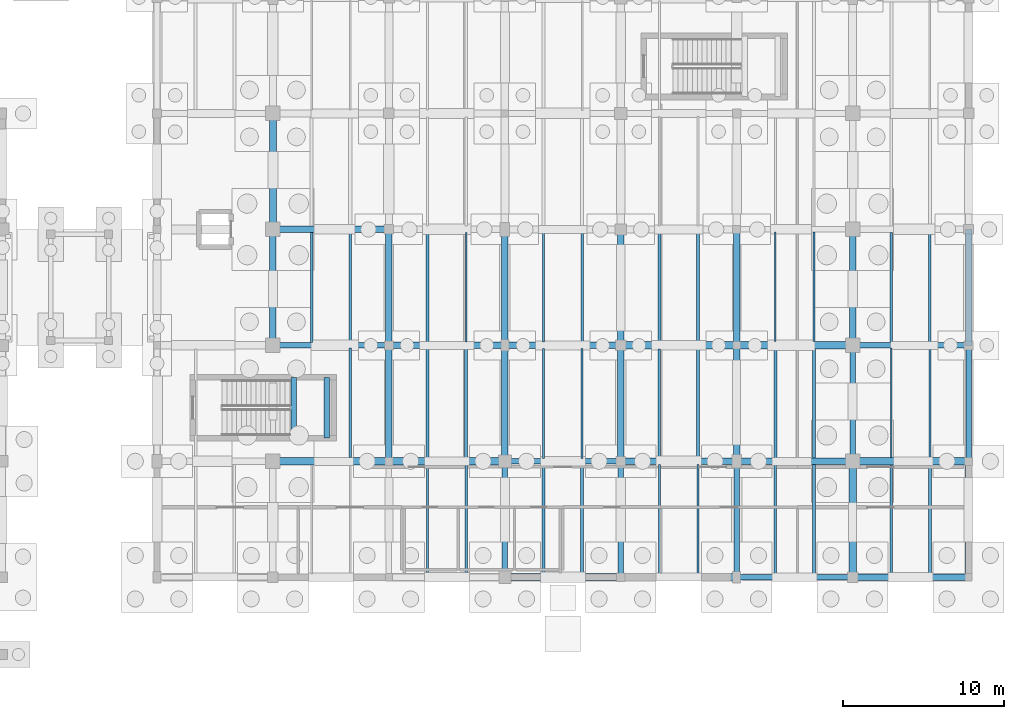
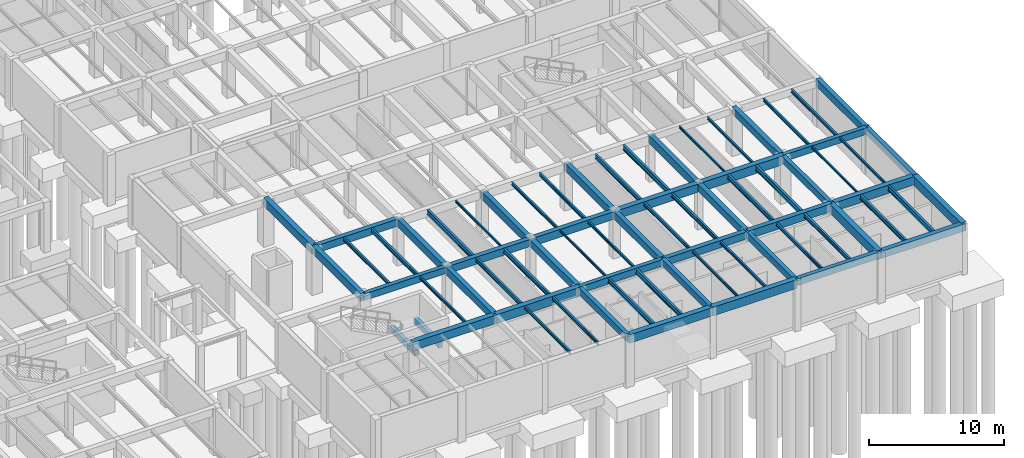
# One storey, part 34 of 63: 71 beams.
"""IFC4 building model written with IfcOpenShell, lengths in metres."""

from ifc_helpers import new_model, si_unit, direction, frame, origin, origin_2d, place, context, subcontext, project, spatial, rectangle, i_section, extrude, material, material_profile, profile_set, type_object, element, save


model = new_model("IFC4")

# Units and contexts
model_context = context("Model", 3, precision=1e-05, world=origin(), true_north=direction((0.0, 1.0)))
body_context = subcontext(model_context, "Body", "Model", "MODEL_VIEW")
ifc_project = project(units=[si_unit("LENGTHUNIT", "METRE"), si_unit("AREAUNIT", "SQUARE_METRE"), si_unit("VOLUMEUNIT", "CUBIC_METRE"), si_unit("PLANEANGLEUNIT", "RADIAN"), si_unit("MASSUNIT", "GRAM", prefix="KILO")], contexts=[model_context])

# Site, building, storey
site_placement = place(None, origin())
site = spatial("IfcSite", under=ifc_project, at=site_placement, CompositionType="ELEMENT")
building_placement = place(site_placement, origin())
building = spatial("IfcBuilding", under=site, at=building_placement, Name="Mazaris Harbour Polytechnic", CompositionType="ELEMENT")
storey_placement = place(building_placement, frame((0.0, 0.0, -4.5)))
storey = spatial("IfcBuildingStorey", under=building, at=storey_placement, Name="B1", CompositionType="ELEMENT", Elevation=-4.5)

# Beams
ifc_material_1 = material(Name="Concrete C35/45", Category="concrete")
ifc_material_profile_1 = material_profile(ifc_material_1, rectangle(XDim=0.35009765625, YDim=0.60009765625, at=origin_2d()), Name="RECT350x600")
ifc_profile_set_1 = profile_set([ifc_material_profile_1], Name="Concrete C35/45")
beam_type_1 = type_object("IfcBeamType", Name="RC Girder 350x600", PredefinedType="BEAM", material=ifc_profile_set_1)
for number, where, z_axis, x_axis, name in (
    (1, (144.0, 14.39990234375, 3.8798828125), (1.0, 0.0, 0.0), (0.0, 1.0, 0.0), "V2 B1 Girder 290"),
    (2, (129.60009765625, 21.60009765625, 3.8798828125), (1.0, 0.0, 0.0), (0.0, 1.0, 0.0), "V2 B1 Girder 295"),
    (3, (165.60009765625, 21.60009765625, 3.8798828125), (1.0, 0.0, 0.0), (0.0, 1.0, 0.0), "V2 B1 Girder 300"),
    (4, (144.0, 7.199951171875, 3.8798828125), (0.0, 1.0, 0.0), (-1.0, 0.0, 0.0), "V2 B1 Tie Girder 335"),
    (5, (151.199951171875, 7.199951171875, 3.8798828125), (0.0, 1.0, 0.0), (-1.0, 0.0, 0.0), "V2 B1 Tie Girder 340"),
    (6, (158.39990234375, 7.199951171875, 3.8798828125), (0.0, 1.0, 0.0), (-1.0, 0.0, 0.0), "V2 B1 Tie Girder 345"),
):
    element("IfcBeam", number, at=place(storey_placement, frame(where, z_axis=z_axis, x_axis=x_axis)), inside=storey, type_object=beam_type_1, Name=name, PredefinedType="BEAM", context=body_context, shape_type="SweptSolid", body=[
        extrude(rectangle(XDim=0.35009765625, YDim=0.60009765625, at=origin_2d()), origin(), (0.0, 0.0, 1.0), 7.199951171875),
    ])
beam_1_placement = place(storey_placement, frame((165.60009765625, 14.39990234375, 3.8798828125), z_axis=(0.0, 1.0, 0.0), x_axis=(-1.0, 0.0, 0.0)))
element("IfcBeam", 7, at=beam_1_placement, inside=storey, type_object=beam_type_1, Name="V2 B1 Tie Girder 350", PredefinedType="BEAM", context=body_context, shape_type="SweptSolid", body=[
    extrude(rectangle(XDim=0.35009765625, YDim=0.60009765625, at=origin_2d()), origin(), (0.0, 0.0, 1.0), 7.2001953125),
])
ifc_material_2 = material(Name="Concrete C35/45", Category="concrete")
ifc_material_profile_2 = material_profile(ifc_material_2, rectangle(XDim=0.35009765625, YDim=0.60009765625, at=origin_2d()), Name="RECT350x600")
ifc_profile_set_2 = profile_set([ifc_material_profile_2], Name="Concrete C35/45")
beam_type_2 = type_object("IfcBeamType", Name="RC Girder 350x600 Exterior", PredefinedType="BEAM", material=ifc_profile_set_2)
for number, where, z_axis, x_axis, name in (
    (8, (158.39990234375, 7.199951171875, 3.8798828125), (1.0, 0.0, 0.0), (0.0, 1.0, 0.0), "V2 B1 Girder 285"),
    (9, (172.800048828125, 14.39990234375, 3.8798828125), (0.0, 1.0, 0.0), (-1.0, 0.0, 0.0), "V2 B1 Tie Girder 355"),
):
    element("IfcBeam", number, at=place(storey_placement, frame(where, z_axis=z_axis, x_axis=x_axis)), inside=storey, type_object=beam_type_2, Name=name, PredefinedType="BEAM", context=body_context, shape_type="SweptSolid", body=[
        extrude(rectangle(XDim=0.35009765625, YDim=0.60009765625, at=origin_2d()), origin(), (0.0, 0.0, 1.0), 7.2001953125),
    ])
ifc_material_3 = material(Name="Concrete C35/45", Category="concrete")
ifc_material_profile_3 = material_profile(ifc_material_3, rectangle(XDim=0.39990234375, YDim=0.64990234375, at=origin_2d()), Name="RECT400x650")
ifc_profile_set_3 = profile_set([ifc_material_profile_3], Name="Concrete C35/45")
beam_type_3 = type_object("IfcBeamType", Name="RC Girder 400x650", PredefinedType="BEAM", material=ifc_profile_set_3)
for number, where, z_axis, x_axis, name in (
    (10, (151.199951171875, 14.39990234375, 3.85498046875), (1.0, 0.0, 0.0), (0.0, 1.0, 0.0), "V2 B1 Girder 291"),
    (11, (136.800048828125, 21.60009765625, 3.85498046875), (1.0, 0.0, 0.0), (0.0, 1.0, 0.0), "V2 B1 Girder 296"),
    (12, (129.60009765625, 28.800048828125, 3.85498046875), (1.0, 0.0, 0.0), (0.0, 1.0, 0.0), "V2 B1 Girder 301"),
):
    element("IfcBeam", number, at=place(storey_placement, frame(where, z_axis=z_axis, x_axis=x_axis)), inside=storey, type_object=beam_type_3, Name=name, PredefinedType="BEAM", context=body_context, shape_type="SweptSolid", body=[
        extrude(rectangle(XDim=0.39990234375, YDim=0.64990234375, at=origin_2d()), origin(), (0.0, 0.0, 1.0), 7.199951171875),
    ])
for number, where, z_axis, x_axis, name in (
    (13, (136.800048828125, 14.39990234375, 3.85498046875), (0.0, 1.0, 0.0), (-1.0, 0.0, 0.0), "V2 B1 Tie Girder 331"),
    (14, (144.0, 14.39990234375, 3.85498046875), (0.0, 1.0, 0.0), (-1.0, 0.0, 0.0), "V2 B1 Tie Girder 336"),
    (15, (151.199951171875, 14.39990234375, 3.85498046875), (0.0, 1.0, 0.0), (-1.0, 0.0, 0.0), "V2 B1 Tie Girder 341"),
    (16, (158.39990234375, 14.39990234375, 3.85498046875), (0.0, 1.0, 0.0), (-1.0, 0.0, 0.0), "V2 B1 Tie Girder 346"),
):
    element("IfcBeam", number, at=place(storey_placement, frame(where, z_axis=z_axis, x_axis=x_axis)), inside=storey, type_object=beam_type_3, Name=name, PredefinedType="BEAM", context=body_context, shape_type="SweptSolid", body=[
        extrude(rectangle(XDim=0.39990234375, YDim=0.64990234375, at=origin_2d()), origin(), (0.0, 0.0, 1.0), 7.2001953125),
    ])
beam_2_placement = place(storey_placement, frame((165.60009765625, 21.60009765625, 3.85498046875), z_axis=(0.0, 1.0, 0.0), x_axis=(-1.0, 0.0, 0.0)))
element("IfcBeam", 17, at=beam_2_placement, inside=storey, type_object=beam_type_3, Name="V2 B1 Tie Girder 351", PredefinedType="BEAM", context=body_context, shape_type="SweptSolid", body=[
    extrude(rectangle(XDim=0.39990234375, YDim=0.64990234375, at=origin_2d()), origin(), (0.0, 0.0, 1.0), 7.199951171875),
])
ifc_material_4 = material(Name="Concrete C35/45", Category="concrete")
ifc_material_profile_4 = material_profile(ifc_material_4, rectangle(XDim=0.39990234375, YDim=0.64990234375, at=origin_2d()), Name="RECT400x650")
ifc_profile_set_4 = profile_set([ifc_material_profile_4], Name="Concrete C35/45")
beam_type_4 = type_object("IfcBeamType", Name="RC Girder 400x650 Exterior", PredefinedType="BEAM", material=ifc_profile_set_4)
for number, where, z_axis, x_axis, name in (
    (18, (165.60009765625, 7.199951171875, 3.85498046875), (1.0, 0.0, 0.0), (0.0, 1.0, 0.0), "V2 B1 Girder 286"),
    (19, (172.800048828125, 21.60009765625, 3.85498046875), (0.0, 1.0, 0.0), (-1.0, 0.0, 0.0), "V2 B1 Tie Girder 356"),
):
    element("IfcBeam", number, at=place(storey_placement, frame(where, z_axis=z_axis, x_axis=x_axis)), inside=storey, type_object=beam_type_4, Name=name, PredefinedType="BEAM", context=body_context, shape_type="SweptSolid", body=[
        extrude(rectangle(XDim=0.39990234375, YDim=0.64990234375, at=origin_2d()), origin(), (0.0, 0.0, 1.0), 7.199951171875),
    ])
ifc_material_5 = material(Name="Concrete C35/45", Category="concrete")
ifc_material_profile_5 = material_profile(ifc_material_5, rectangle(XDim=0.39990234375, YDim=0.699951171875, at=origin_2d()), Name="RECT400x700")
ifc_profile_set_5 = profile_set([ifc_material_profile_5], Name="Concrete C35/45")
beam_type_5 = type_object("IfcBeamType", Name="RC Girder 400x700", PredefinedType="BEAM", material=ifc_profile_set_5)
beam_3_placement = place(storey_placement, frame((158.39990234375, 14.39990234375, 3.830078125), z_axis=(1.0, 0.0, 0.0), x_axis=(0.0, 1.0, 0.0)))
element("IfcBeam", 20, at=beam_3_placement, inside=storey, type_object=beam_type_5, Name="V2 B1 Girder 292", PredefinedType="BEAM", context=body_context, shape_type="SweptSolid", body=[
    extrude(rectangle(XDim=0.39990234375, YDim=0.699951171875, at=origin_2d()), origin(), (0.0, 0.0, 1.0), 7.2001953125),
])
for number, where, z_axis, x_axis, name in (
    (21, (144.0, 21.60009765625, 3.830078125), (1.0, 0.0, 0.0), (0.0, 1.0, 0.0), "V2 B1 Girder 297"),
    (22, (129.60009765625, 21.60009765625, 3.830078125), (0.0, 1.0, 0.0), (-1.0, 0.0, 0.0), "V2 B1 Tie Girder 327"),
    (23, (136.800048828125, 21.60009765625, 3.830078125), (0.0, 1.0, 0.0), (-1.0, 0.0, 0.0), "V2 B1 Tie Girder 332"),
    (24, (144.0, 21.60009765625, 3.830078125), (0.0, 1.0, 0.0), (-1.0, 0.0, 0.0), "V2 B1 Tie Girder 337"),
    (25, (151.199951171875, 21.60009765625, 3.830078125), (0.0, 1.0, 0.0), (-1.0, 0.0, 0.0), "V2 B1 Tie Girder 342"),
    (26, (158.39990234375, 21.60009765625, 3.830078125), (0.0, 1.0, 0.0), (-1.0, 0.0, 0.0), "V2 B1 Tie Girder 347"),
):
    element("IfcBeam", number, at=place(storey_placement, frame(where, z_axis=z_axis, x_axis=x_axis)), inside=storey, type_object=beam_type_5, Name=name, PredefinedType="BEAM", context=body_context, shape_type="SweptSolid", body=[
        extrude(rectangle(XDim=0.39990234375, YDim=0.699951171875, at=origin_2d()), origin(), (0.0, 0.0, 1.0), 7.199951171875),
    ])
ifc_material_6 = material(Name="Concrete C40/50", Category="concrete")
ifc_material_profile_6 = material_profile(ifc_material_6, rectangle(XDim=0.449951171875, YDim=0.75, at=origin_2d()), Name="RECT450x750")
ifc_profile_set_6 = profile_set([ifc_material_profile_6], Name="Concrete C40/50")
beam_type_6 = type_object("IfcBeamType", Name="RC Girder 450x750", PredefinedType="BEAM", material=ifc_profile_set_6)
for number, where, z_axis, x_axis, name in (
    (27, (129.60009765625, 14.39990234375, 3.804931640625), (1.0, 0.0, 0.0), (0.0, 1.0, 0.0), "V2 B1 Girder 288"),
    (28, (165.60009765625, 14.39990234375, 3.804931640625), (1.0, 0.0, 0.0), (0.0, 1.0, 0.0), "V2 B1 Girder 293"),
    (29, (151.199951171875, 21.60009765625, 3.804931640625), (1.0, 0.0, 0.0), (0.0, 1.0, 0.0), "V2 B1 Girder 298"),
    (30, (129.60009765625, 28.800048828125, 3.804931640625), (0.0, 1.0, 0.0), (-1.0, 0.0, 0.0), "V2 B1 Tie Girder 328"),
):
    element("IfcBeam", number, at=place(storey_placement, frame(where, z_axis=z_axis, x_axis=x_axis)), inside=storey, type_object=beam_type_6, Name=name, PredefinedType="BEAM", context=body_context, shape_type="SweptSolid", body=[
        extrude(rectangle(XDim=0.449951171875, YDim=0.75, at=origin_2d()), origin(), (0.0, 0.0, 1.0), 7.199951171875),
    ])
ifc_material_7 = material(Name="Concrete C40/50", Category="concrete")
ifc_material_profile_7 = material_profile(ifc_material_7, rectangle(XDim=0.449951171875, YDim=0.75, at=origin_2d()), Name="RECT450x750")
ifc_profile_set_7 = profile_set([ifc_material_profile_7], Name="Concrete C40/50")
beam_type_7 = type_object("IfcBeamType", Name="RC Girder 450x750 Exterior", PredefinedType="BEAM", material=ifc_profile_set_7)
beam_4_placement = place(storey_placement, frame((144.0, 7.199951171875, 3.804931640625), z_axis=(1.0, 0.0, 0.0), x_axis=(0.0, 1.0, 0.0)))
element("IfcBeam", 31, at=beam_4_placement, inside=storey, type_object=beam_type_7, Name="V2 B1 Girder 283", PredefinedType="BEAM", context=body_context, shape_type="SweptSolid", body=[
    extrude(rectangle(XDim=0.449951171875, YDim=0.75, at=origin_2d()), origin(), (0.0, 0.0, 1.0), 7.199951171875),
])
ifc_material_8 = material(Name="Concrete C40/50", Category="concrete")
ifc_material_profile_8 = material_profile(ifc_material_8, rectangle(XDim=0.449951171875, YDim=0.800048828125, at=origin_2d()), Name="RECT450x800")
ifc_profile_set_8 = profile_set([ifc_material_profile_8], Name="Concrete C40/50")
beam_type_8 = type_object("IfcBeamType", Name="RC Girder 450x800", PredefinedType="BEAM", material=ifc_profile_set_8)
beam_5_placement = place(storey_placement, frame((136.800048828125, 14.39990234375, 3.780029296875), z_axis=(1.0, 0.0, 0.0), x_axis=(0.0, 1.0, 0.0)))
element("IfcBeam", 32, at=beam_5_placement, inside=storey, type_object=beam_type_8, Name="V2 B1 Girder 289", PredefinedType="BEAM", context=body_context, shape_type="SweptSolid", body=[
    extrude(rectangle(XDim=0.449951171875, YDim=0.800048828125, at=origin_2d()), origin(), (0.0, 0.0, 1.0), 7.199951171875),
])
beam_6_placement = place(storey_placement, frame((158.39990234375, 21.60009765625, 3.780029296875), z_axis=(1.0, 0.0, 0.0), x_axis=(0.0, 1.0, 0.0)))
element("IfcBeam", 33, at=beam_6_placement, inside=storey, type_object=beam_type_8, Name="V2 B1 Girder 299", PredefinedType="BEAM", context=body_context, shape_type="SweptSolid", body=[
    extrude(rectangle(XDim=0.449951171875, YDim=0.800048828125, at=origin_2d()), origin(), (0.0, 0.0, 1.0), 7.2001953125),
])
beam_7_placement = place(storey_placement, frame((165.60009765625, 7.199951171875, 3.780029296875), z_axis=(0.0, 1.0, 0.0), x_axis=(-1.0, 0.0, 0.0)))
element("IfcBeam", 34, at=beam_7_placement, inside=storey, type_object=beam_type_8, Name="V2 B1 Tie Girder 349", PredefinedType="BEAM", context=body_context, shape_type="SweptSolid", body=[
    extrude(rectangle(XDim=0.449951171875, YDim=0.800048828125, at=origin_2d()), origin(), (0.0, 0.0, 1.0), 7.199951171875),
])
ifc_material_9 = material(Name="Concrete C40/50", Category="concrete")
ifc_material_profile_9 = material_profile(ifc_material_9, rectangle(XDim=0.449951171875, YDim=0.800048828125, at=origin_2d()), Name="RECT450x800")
ifc_profile_set_9 = profile_set([ifc_material_profile_9], Name="Concrete C40/50")
beam_type_9 = type_object("IfcBeamType", Name="RC Girder 450x800 Exterior", PredefinedType="BEAM", material=ifc_profile_set_9)
for number, where, z_axis, x_axis, name in (
    (35, (151.199951171875, 7.199951171875, 3.780029296875), (1.0, 0.0, 0.0), (0.0, 1.0, 0.0), "V2 B1 Girder 284"),
    (36, (172.800048828125, 7.199951171875, 3.780029296875), (0.0, 1.0, 0.0), (-1.0, 0.0, 0.0), "V2 B1 Tie Girder 354"),
):
    element("IfcBeam", number, at=place(storey_placement, frame(where, z_axis=z_axis, x_axis=x_axis)), inside=storey, type_object=beam_type_9, Name=name, PredefinedType="BEAM", context=body_context, shape_type="SweptSolid", body=[
        extrude(rectangle(XDim=0.449951171875, YDim=0.800048828125, at=origin_2d()), origin(), (0.0, 0.0, 1.0), 7.199951171875),
    ])
ifc_material_10 = material(Name="Concrete C40/50", Category="concrete")
ifc_material_profile_10 = material_profile(ifc_material_10, rectangle(XDim=0.35009765625, YDim=0.52001953125, at=origin_2d()), Name="RECT350x520")
ifc_profile_set_10 = profile_set([ifc_material_profile_10], Name="Concrete C40/50")
beam_type_10 = type_object("IfcBeamType", Name="RC Landing Bearer 350x520", PredefinedType="BEAM", material=ifc_profile_set_10)
for number, where, z_axis, x_axis, name in (
    (37, (130.89990234375, 15.85009765625, 1.7900390625), (0.0, 1.0, 0.0), (-1.0, 0.0, 0.0), "Core ST03 B1 Landing Bearer"),
    (38, (132.949951171875, 15.85009765625, 1.7900390625), (0.0, 1.0, 0.0), (-1.0, 0.0, 0.0), "Core ST03 B1 Landing Bearer"),
):
    element("IfcBeam", number, at=place(storey_placement, frame(where, z_axis=z_axis, x_axis=x_axis)), inside=storey, type_object=beam_type_10, Name=name, PredefinedType="BEAM", context=body_context, shape_type="SweptSolid", body=[
        extrude(rectangle(XDim=0.35009765625, YDim=0.52001953125, at=origin_2d()), origin(), (0.0, 0.0, 1.0), 3.75),
    ])
ifc_material_11 = material(Name="Steel S355", Category="steel")
ifc_material_profile_11 = material_profile(ifc_material_11, i_section(OverallWidth=0.10009765625, OverallDepth=0.199951171875, WebThickness=0.005615234375, FlangeThickness=0.008544921875, FilletRadius=0.011962890625, at=origin_2d()), Name="IPE 200")
ifc_profile_set_11 = profile_set([ifc_material_profile_11], Name="Steel S355")
beam_type_11 = type_object("IfcBeamType", Name="Steel Joist IPE200", PredefinedType="JOIST", material=ifc_profile_set_11)
beam_8_placement = place(storey_placement, frame((141.60009765625, 21.800048828125, 4.080078125), z_axis=(0.0, 1.0, 0.0), x_axis=(-1.0, 0.0, 0.0)))
element("IfcBeam", 39, at=beam_8_placement, inside=storey, type_object=beam_type_11, Name="V2 B1 Floor Joist 378", PredefinedType="JOIST", context=body_context, shape_type="SweptSolid", body=[
    extrude(i_section(OverallWidth=0.10009765625, OverallDepth=0.199951171875, WebThickness=0.005615234375, FlangeThickness=0.008544921875, FilletRadius=0.011962890625, at=origin_2d()), origin(), (0.0, 0.0, 1.0), 6.800048828125),
])
beam_9_placement = place(storey_placement, frame((146.39990234375, 14.574951171875, 4.080078125), z_axis=(0.0, 1.0, 0.0), x_axis=(-1.0, 0.0, 0.0)))
element("IfcBeam", 40, at=beam_9_placement, inside=storey, type_object=beam_type_11, Name="V2 B1 Floor Joist 385", PredefinedType="JOIST", context=body_context, shape_type="SweptSolid", body=[
    extrude(i_section(OverallWidth=0.10009765625, OverallDepth=0.199951171875, WebThickness=0.005615234375, FlangeThickness=0.008544921875, FilletRadius=0.011962890625, at=origin_2d()), origin(), (0.0, 0.0, 1.0), 6.824951171875),
])
for number, where, z_axis, x_axis, name in (
    (41, (160.800048828125, 21.824951171875, 4.080078125), (0.0, 1.0, 0.0), (-1.0, 0.0, 0.0), "V2 B1 Floor Joist 406"),
    (42, (168.0, 14.625, 4.080078125), (0.0, 1.0, 0.0), (-1.0, 0.0, 0.0), "V2 B1 Floor Joist 413"),
):
    element("IfcBeam", number, at=place(storey_placement, frame(where, z_axis=z_axis, x_axis=x_axis)), inside=storey, type_object=beam_type_11, Name=name, PredefinedType="JOIST", context=body_context, shape_type="SweptSolid", body=[
        extrude(i_section(OverallWidth=0.10009765625, OverallDepth=0.199951171875, WebThickness=0.005615234375, FlangeThickness=0.008544921875, FilletRadius=0.011962890625, at=origin_2d()), origin(), (0.0, 0.0, 1.0), 6.800048828125),
    ])
ifc_material_12 = material(Name="Steel S355", Category="steel")
ifc_material_profile_12 = material_profile(ifc_material_12, i_section(OverallWidth=0.1201171875, OverallDepth=0.239990234375, WebThickness=0.006103515625, FlangeThickness=0.009765625, FilletRadius=0.014892578125, at=origin_2d()), Name="IPE 240")
ifc_profile_set_12 = profile_set([ifc_material_profile_12], Name="Steel S355")
beam_type_12 = type_object("IfcBeamType", Name="Steel Joist IPE240", PredefinedType="JOIST", material=ifc_profile_set_12)
beam_10_placement = place(storey_placement, frame((148.800048828125, 14.574951171875, 4.06005859375), z_axis=(0.0, 1.0, 0.0), x_axis=(-1.0, 0.0, 0.0)))
element("IfcBeam", 43, at=beam_10_placement, inside=storey, type_object=beam_type_12, Name="V2 B1 Floor Joist 386", PredefinedType="JOIST", context=body_context, shape_type="SweptSolid", body=[
    extrude(i_section(OverallWidth=0.1201171875, OverallDepth=0.239990234375, WebThickness=0.006103515625, FlangeThickness=0.009765625, FilletRadius=0.014892578125, at=origin_2d()), origin(), (0.0, 0.0, 1.0), 6.824951171875),
])
beam_11_placement = place(storey_placement, frame((153.60009765625, 7.425048828125, 4.06005859375), z_axis=(0.0, 1.0, 0.0), x_axis=(-1.0, 0.0, 0.0)))
element("IfcBeam", 44, at=beam_11_placement, inside=storey, type_object=beam_type_12, Name="V2 B1 Floor Joist 393", PredefinedType="JOIST", context=body_context, shape_type="SweptSolid", body=[
    extrude(i_section(OverallWidth=0.1201171875, OverallDepth=0.239990234375, WebThickness=0.006103515625, FlangeThickness=0.009765625, FilletRadius=0.014892578125, at=origin_2d()), origin(), (0.0, 0.0, 1.0), 6.77490234375),
])
for number, where, z_axis, x_axis, name in (
    (45, (163.199951171875, 21.824951171875, 4.06005859375), (0.0, 1.0, 0.0), (-1.0, 0.0, 0.0), "V2 B1 Floor Joist 407"),
    (46, (170.39990234375, 14.625, 4.06005859375), (0.0, 1.0, 0.0), (-1.0, 0.0, 0.0), "V2 B1 Floor Joist 414"),
):
    element("IfcBeam", number, at=place(storey_placement, frame(where, z_axis=z_axis, x_axis=x_axis)), inside=storey, type_object=beam_type_12, Name=name, PredefinedType="JOIST", context=body_context, shape_type="SweptSolid", body=[
        extrude(i_section(OverallWidth=0.1201171875, OverallDepth=0.239990234375, WebThickness=0.006103515625, FlangeThickness=0.009765625, FilletRadius=0.014892578125, at=origin_2d()), origin(), (0.0, 0.0, 1.0), 6.800048828125),
    ])
ifc_material_13 = material(Name="Steel S355", Category="steel")
ifc_material_profile_13 = material_profile(ifc_material_13, i_section(OverallWidth=0.135009765625, OverallDepth=0.27001953125, WebThickness=0.006591796875, FlangeThickness=0.01025390625, FilletRadius=0.014892578125, at=origin_2d()), Name="IPE 270")
ifc_profile_set_13 = profile_set([ifc_material_profile_13], Name="Steel S355")
beam_type_13 = type_object("IfcBeamType", Name="Steel Joist IPE270", PredefinedType="JOIST", material=ifc_profile_set_13)
beam_12_placement = place(storey_placement, frame((134.39990234375, 14.625, 4.044921875), z_axis=(0.0, 1.0, 0.0), x_axis=(-1.0, 0.0, 0.0)))
element("IfcBeam", 47, at=beam_12_placement, inside=storey, type_object=beam_type_13, Name="V2 B1 Floor Joist 366", PredefinedType="JOIST", context=body_context, shape_type="SweptSolid", body=[
    extrude(i_section(OverallWidth=0.135009765625, OverallDepth=0.27001953125, WebThickness=0.006591796875, FlangeThickness=0.01025390625, FilletRadius=0.014892578125, at=origin_2d()), origin(), (0.0, 0.0, 1.0), 6.800048828125),
])
beam_13_placement = place(storey_placement, frame((139.199951171875, 7.39990234375, 4.044921875), z_axis=(0.0, 1.0, 0.0), x_axis=(-1.0, 0.0, 0.0)))
element("IfcBeam", 48, at=beam_13_placement, inside=storey, type_object=beam_type_13, Name="V2 B1 Floor Joist 373", PredefinedType="JOIST", context=body_context, shape_type="SweptSolid", body=[
    extrude(i_section(OverallWidth=0.135009765625, OverallDepth=0.27001953125, WebThickness=0.006591796875, FlangeThickness=0.01025390625, FilletRadius=0.014892578125, at=origin_2d()), origin(), (0.0, 0.0, 1.0), 6.775146484375),
])
for number, where, z_axis, x_axis, name in (
    (49, (146.39990234375, 21.800048828125, 4.044921875), (0.0, 1.0, 0.0), (-1.0, 0.0, 0.0), "V2 B1 Floor Joist 387"),
    (50, (156.0, 7.425048828125, 4.044921875), (0.0, 1.0, 0.0), (-1.0, 0.0, 0.0), "V2 B1 Floor Joist 394"),
):
    element("IfcBeam", number, at=place(storey_placement, frame(where, z_axis=z_axis, x_axis=x_axis)), inside=storey, type_object=beam_type_13, Name=name, PredefinedType="JOIST", context=body_context, shape_type="SweptSolid", body=[
        extrude(i_section(OverallWidth=0.135009765625, OverallDepth=0.27001953125, WebThickness=0.006591796875, FlangeThickness=0.01025390625, FilletRadius=0.014892578125, at=origin_2d()), origin(), (0.0, 0.0, 1.0), 6.77490234375),
    ])
beam_14_placement = place(storey_placement, frame((168.0, 21.77490234375, 4.044921875), z_axis=(0.0, 1.0, 0.0), x_axis=(-1.0, 0.0, 0.0)))
element("IfcBeam", 51, at=beam_14_placement, inside=storey, type_object=beam_type_13, Name="V2 B1 Floor Joist 415", PredefinedType="JOIST", context=body_context, shape_type="SweptSolid", body=[
    extrude(i_section(OverallWidth=0.135009765625, OverallDepth=0.27001953125, WebThickness=0.006591796875, FlangeThickness=0.01025390625, FilletRadius=0.014892578125, at=origin_2d()), origin(), (0.0, 0.0, 1.0), 6.8251953125),
])
ifc_material_14 = material(Name="Steel S355", Category="steel")
ifc_material_profile_14 = material_profile(ifc_material_14, i_section(OverallWidth=0.14990234375, OverallDepth=0.300048828125, WebThickness=0.007080078125, FlangeThickness=0.0107421875, FilletRadius=0.014892578125, at=origin_2d()), Name="IPE 300")
ifc_profile_set_14 = profile_set([ifc_material_profile_14], Name="Steel S355")
beam_type_14 = type_object("IfcBeamType", Name="Steel Joist IPE300", PredefinedType="JOIST", material=ifc_profile_set_14)
beam_15_placement = place(storey_placement, frame((132.0, 21.77490234375, 4.030029296875), z_axis=(0.0, 1.0, 0.0), x_axis=(-1.0, 0.0, 0.0)))
element("IfcBeam", 52, at=beam_15_placement, inside=storey, type_object=beam_type_14, Name="V2 B1 Floor Joist 367", PredefinedType="JOIST", context=body_context, shape_type="SweptSolid", body=[
    extrude(i_section(OverallWidth=0.14990234375, OverallDepth=0.300048828125, WebThickness=0.007080078125, FlangeThickness=0.0107421875, FilletRadius=0.014892578125, at=origin_2d()), origin(), (0.0, 0.0, 1.0), 6.8251953125),
])
beam_16_placement = place(storey_placement, frame((141.60009765625, 7.39990234375, 4.030029296875), z_axis=(0.0, 1.0, 0.0), x_axis=(-1.0, 0.0, 0.0)))
element("IfcBeam", 53, at=beam_16_placement, inside=storey, type_object=beam_type_14, Name="V2 B1 Floor Joist 374", PredefinedType="JOIST", context=body_context, shape_type="SweptSolid", body=[
    extrude(i_section(OverallWidth=0.14990234375, OverallDepth=0.300048828125, WebThickness=0.007080078125, FlangeThickness=0.0107421875, FilletRadius=0.014892578125, at=origin_2d()), origin(), (0.0, 0.0, 1.0), 6.775146484375),
])
for number, where, z_axis, x_axis, name in (
    (54, (148.800048828125, 21.800048828125, 4.030029296875), (0.0, 1.0, 0.0), (-1.0, 0.0, 0.0), "V2 B1 Floor Joist 388"),
    (55, (153.60009765625, 14.60009765625, 4.030029296875), (0.0, 1.0, 0.0), (-1.0, 0.0, 0.0), "V2 B1 Floor Joist 395"),
):
    element("IfcBeam", number, at=place(storey_placement, frame(where, z_axis=z_axis, x_axis=x_axis)), inside=storey, type_object=beam_type_14, Name=name, PredefinedType="JOIST", context=body_context, shape_type="SweptSolid", body=[
        extrude(i_section(OverallWidth=0.14990234375, OverallDepth=0.300048828125, WebThickness=0.007080078125, FlangeThickness=0.0107421875, FilletRadius=0.014892578125, at=origin_2d()), origin(), (0.0, 0.0, 1.0), 6.77490234375),
    ])
beam_17_placement = place(storey_placement, frame((160.800048828125, 7.375, 4.030029296875), z_axis=(0.0, 1.0, 0.0), x_axis=(-1.0, 0.0, 0.0)))
element("IfcBeam", 56, at=beam_17_placement, inside=storey, type_object=beam_type_14, Name="V2 B1 Floor Joist 402", PredefinedType="JOIST", context=body_context, shape_type="SweptSolid", body=[
    extrude(i_section(OverallWidth=0.14990234375, OverallDepth=0.300048828125, WebThickness=0.007080078125, FlangeThickness=0.0107421875, FilletRadius=0.014892578125, at=origin_2d()), origin(), (0.0, 0.0, 1.0), 6.824951171875),
])
beam_18_placement = place(storey_placement, frame((170.39990234375, 21.77490234375, 4.030029296875), z_axis=(0.0, 1.0, 0.0), x_axis=(-1.0, 0.0, 0.0)))
element("IfcBeam", 57, at=beam_18_placement, inside=storey, type_object=beam_type_14, Name="V2 B1 Floor Joist 416", PredefinedType="JOIST", context=body_context, shape_type="SweptSolid", body=[
    extrude(i_section(OverallWidth=0.14990234375, OverallDepth=0.300048828125, WebThickness=0.007080078125, FlangeThickness=0.0107421875, FilletRadius=0.014892578125, at=origin_2d()), origin(), (0.0, 0.0, 1.0), 6.8251953125),
])
ifc_material_15 = material(Name="Steel S355", Category="steel")
ifc_material_profile_15 = material_profile(ifc_material_15, i_section(OverallWidth=0.169921875, OverallDepth=0.360107421875, WebThickness=0.008056640625, FlangeThickness=0.0126953125, FilletRadius=0.01806640625, at=origin_2d()), Name="IPE 360")
ifc_profile_set_15 = profile_set([ifc_material_profile_15], Name="Steel S355")
beam_type_15 = type_object("IfcBeamType", Name="Steel Joist IPE360", PredefinedType="JOIST", material=ifc_profile_set_15)
beam_19_placement = place(storey_placement, frame((134.39990234375, 21.77490234375, 4.0), z_axis=(0.0, 1.0, 0.0), x_axis=(-1.0, 0.0, 0.0)))
element("IfcBeam", 58, at=beam_19_placement, inside=storey, type_object=beam_type_15, Name="V2 B1 Floor Joist 368", PredefinedType="JOIST", context=body_context, shape_type="SweptSolid", body=[
    extrude(i_section(OverallWidth=0.169921875, OverallDepth=0.360107421875, WebThickness=0.008056640625, FlangeThickness=0.0126953125, FilletRadius=0.01806640625, at=origin_2d()), origin(), (0.0, 0.0, 1.0), 6.8251953125),
])
for number, where, z_axis, x_axis, name in (
    (59, (139.199951171875, 14.625, 4.0), (0.0, 1.0, 0.0), (-1.0, 0.0, 0.0), "V2 B1 Floor Joist 375"),
    (60, (156.0, 14.60009765625, 4.0), (0.0, 1.0, 0.0), (-1.0, 0.0, 0.0), "V2 B1 Floor Joist 396"),
):
    element("IfcBeam", number, at=place(storey_placement, frame(where, z_axis=z_axis, x_axis=x_axis)), inside=storey, type_object=beam_type_15, Name=name, PredefinedType="JOIST", context=body_context, shape_type="SweptSolid", body=[
        extrude(i_section(OverallWidth=0.169921875, OverallDepth=0.360107421875, WebThickness=0.008056640625, FlangeThickness=0.0126953125, FilletRadius=0.01806640625, at=origin_2d()), origin(), (0.0, 0.0, 1.0), 6.77490234375),
    ])
beam_20_placement = place(storey_placement, frame((163.199951171875, 7.375, 4.0), z_axis=(0.0, 1.0, 0.0), x_axis=(-1.0, 0.0, 0.0)))
element("IfcBeam", 61, at=beam_20_placement, inside=storey, type_object=beam_type_15, Name="V2 B1 Floor Joist 403", PredefinedType="JOIST", context=body_context, shape_type="SweptSolid", body=[
    extrude(i_section(OverallWidth=0.169921875, OverallDepth=0.360107421875, WebThickness=0.008056640625, FlangeThickness=0.0126953125, FilletRadius=0.01806640625, at=origin_2d()), origin(), (0.0, 0.0, 1.0), 6.824951171875),
])
ifc_material_16 = material(Name="Steel S355", Category="steel")
ifc_material_profile_16 = material_profile(ifc_material_16, i_section(OverallWidth=0.179931640625, OverallDepth=0.39990234375, WebThickness=0.008544921875, FlangeThickness=0.013427734375, FilletRadius=0.02099609375, at=origin_2d()), Name="IPE 400")
ifc_profile_set_16 = profile_set([ifc_material_profile_16], Name="Steel S355")
beam_type_16 = type_object("IfcBeamType", Name="Steel Joist IPE400", PredefinedType="JOIST", material=ifc_profile_set_16)
beam_21_placement = place(storey_placement, frame((141.60009765625, 14.625, 3.97998046875), z_axis=(0.0, 1.0, 0.0), x_axis=(-1.0, 0.0, 0.0)))
element("IfcBeam", 62, at=beam_21_placement, inside=storey, type_object=beam_type_16, Name="V2 B1 Floor Joist 376", PredefinedType="JOIST", context=body_context, shape_type="SweptSolid", body=[
    extrude(i_section(OverallWidth=0.179931640625, OverallDepth=0.39990234375, WebThickness=0.008544921875, FlangeThickness=0.013427734375, FilletRadius=0.02099609375, at=origin_2d()), origin(), (0.0, 0.0, 1.0), 6.77490234375),
])
beam_22_placement = place(storey_placement, frame((146.39990234375, 7.425048828125, 3.97998046875), z_axis=(0.0, 1.0, 0.0), x_axis=(-1.0, 0.0, 0.0)))
element("IfcBeam", 63, at=beam_22_placement, inside=storey, type_object=beam_type_16, Name="V2 B1 Floor Joist 383", PredefinedType="JOIST", context=body_context, shape_type="SweptSolid", body=[
    extrude(i_section(OverallWidth=0.179931640625, OverallDepth=0.39990234375, WebThickness=0.008544921875, FlangeThickness=0.013427734375, FilletRadius=0.02099609375, at=origin_2d()), origin(), (0.0, 0.0, 1.0), 6.800048828125),
])
beam_23_placement = place(storey_placement, frame((153.60009765625, 21.824951171875, 3.97998046875), z_axis=(0.0, 1.0, 0.0), x_axis=(-1.0, 0.0, 0.0)))
element("IfcBeam", 64, at=beam_23_placement, inside=storey, type_object=beam_type_16, Name="V2 B1 Floor Joist 397", PredefinedType="JOIST", context=body_context, shape_type="SweptSolid", body=[
    extrude(i_section(OverallWidth=0.179931640625, OverallDepth=0.39990234375, WebThickness=0.008544921875, FlangeThickness=0.013427734375, FilletRadius=0.02099609375, at=origin_2d()), origin(), (0.0, 0.0, 1.0), 6.75),
])
beam_24_placement = place(storey_placement, frame((160.800048828125, 14.60009765625, 3.97998046875), z_axis=(0.0, 1.0, 0.0), x_axis=(-1.0, 0.0, 0.0)))
element("IfcBeam", 65, at=beam_24_placement, inside=storey, type_object=beam_type_16, Name="V2 B1 Floor Joist 404", PredefinedType="JOIST", context=body_context, shape_type="SweptSolid", body=[
    extrude(i_section(OverallWidth=0.179931640625, OverallDepth=0.39990234375, WebThickness=0.008544921875, FlangeThickness=0.013427734375, FilletRadius=0.02099609375, at=origin_2d()), origin(), (0.0, 0.0, 1.0), 6.77490234375),
])
beam_25_placement = place(storey_placement, frame((168.0, 7.39990234375, 3.97998046875), z_axis=(0.0, 1.0, 0.0), x_axis=(-1.0, 0.0, 0.0)))
element("IfcBeam", 66, at=beam_25_placement, inside=storey, type_object=beam_type_16, Name="V2 B1 Floor Joist 411", PredefinedType="JOIST", context=body_context, shape_type="SweptSolid", body=[
    extrude(i_section(OverallWidth=0.179931640625, OverallDepth=0.39990234375, WebThickness=0.008544921875, FlangeThickness=0.013427734375, FilletRadius=0.02099609375, at=origin_2d()), origin(), (0.0, 0.0, 1.0), 6.775146484375),
])
ifc_material_17 = material(Name="Steel S355", Category="steel")
ifc_material_profile_17 = material_profile(ifc_material_17, i_section(OverallWidth=0.18994140625, OverallDepth=0.449951171875, WebThickness=0.009521484375, FlangeThickness=0.0146484375, FilletRadius=0.02099609375, at=origin_2d()), Name="IPE 450")
ifc_profile_set_17 = profile_set([ifc_material_profile_17], Name="Steel S355")
beam_type_17 = type_object("IfcBeamType", Name="Steel Joist IPE450", PredefinedType="JOIST", material=ifc_profile_set_17)
for number, where, z_axis, x_axis, name in (
    (67, (139.199951171875, 21.800048828125, 3.955078125), (0.0, 1.0, 0.0), (-1.0, 0.0, 0.0), "V2 B1 Floor Joist 377"),
    (68, (148.800048828125, 7.425048828125, 3.955078125), (0.0, 1.0, 0.0), (-1.0, 0.0, 0.0), "V2 B1 Floor Joist 384"),
):
    element("IfcBeam", number, at=place(storey_placement, frame(where, z_axis=z_axis, x_axis=x_axis)), inside=storey, type_object=beam_type_17, Name=name, PredefinedType="JOIST", context=body_context, shape_type="SweptSolid", body=[
        extrude(i_section(OverallWidth=0.18994140625, OverallDepth=0.449951171875, WebThickness=0.009521484375, FlangeThickness=0.0146484375, FilletRadius=0.02099609375, at=origin_2d()), origin(), (0.0, 0.0, 1.0), 6.800048828125),
    ])
beam_26_placement = place(storey_placement, frame((156.0, 21.824951171875, 3.955078125), z_axis=(0.0, 1.0, 0.0), x_axis=(-1.0, 0.0, 0.0)))
element("IfcBeam", 69, at=beam_26_placement, inside=storey, type_object=beam_type_17, Name="V2 B1 Floor Joist 398", PredefinedType="JOIST", context=body_context, shape_type="SweptSolid", body=[
    extrude(i_section(OverallWidth=0.18994140625, OverallDepth=0.449951171875, WebThickness=0.009521484375, FlangeThickness=0.0146484375, FilletRadius=0.02099609375, at=origin_2d()), origin(), (0.0, 0.0, 1.0), 6.75),
])
beam_27_placement = place(storey_placement, frame((163.199951171875, 14.60009765625, 3.955078125), z_axis=(0.0, 1.0, 0.0), x_axis=(-1.0, 0.0, 0.0)))
element("IfcBeam", 70, at=beam_27_placement, inside=storey, type_object=beam_type_17, Name="V2 B1 Floor Joist 405", PredefinedType="JOIST", context=body_context, shape_type="SweptSolid", body=[
    extrude(i_section(OverallWidth=0.18994140625, OverallDepth=0.449951171875, WebThickness=0.009521484375, FlangeThickness=0.0146484375, FilletRadius=0.02099609375, at=origin_2d()), origin(), (0.0, 0.0, 1.0), 6.77490234375),
])
beam_28_placement = place(storey_placement, frame((170.39990234375, 7.39990234375, 3.955078125), z_axis=(0.0, 1.0, 0.0), x_axis=(-1.0, 0.0, 0.0)))
element("IfcBeam", 71, at=beam_28_placement, inside=storey, type_object=beam_type_17, Name="V2 B1 Floor Joist 412", PredefinedType="JOIST", context=body_context, shape_type="SweptSolid", body=[
    extrude(i_section(OverallWidth=0.18994140625, OverallDepth=0.449951171875, WebThickness=0.009521484375, FlangeThickness=0.0146484375, FilletRadius=0.02099609375, at=origin_2d()), origin(), (0.0, 0.0, 1.0), 6.775146484375),
])

save(model, "model.ifc")
